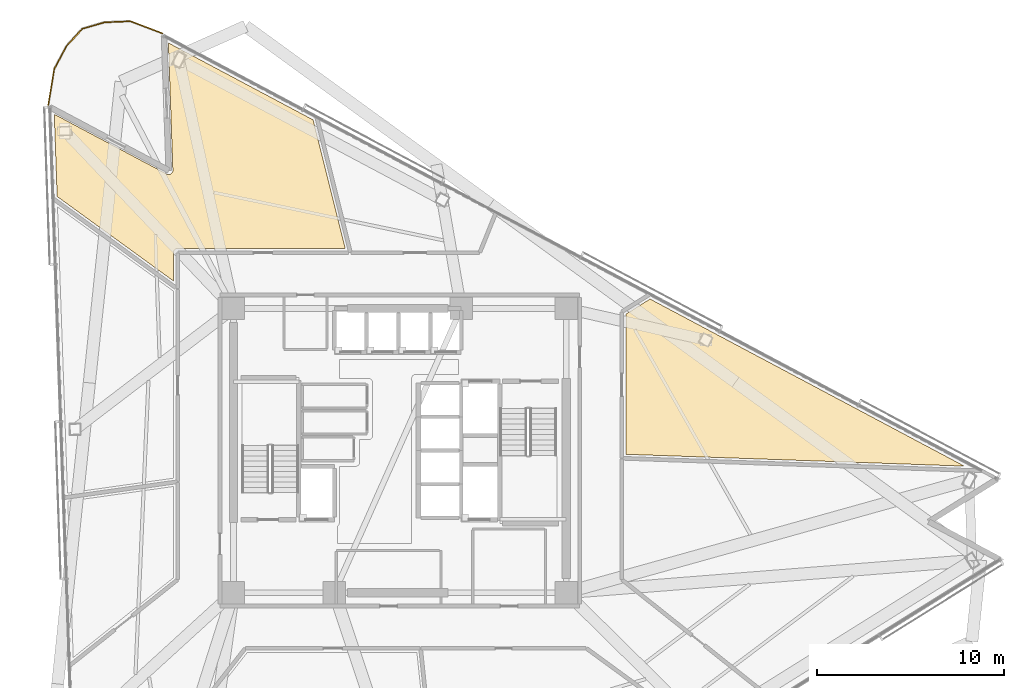
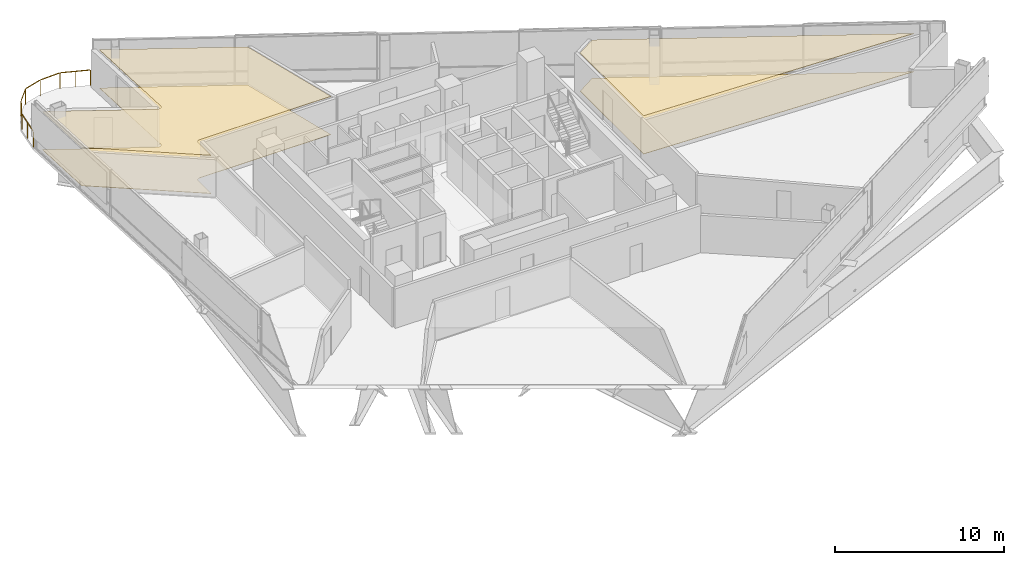
# One storey, part 20 of 20: 4 coverings, 1 railing.
"""IFC4 building model written with IfcOpenShell, lengths in metres."""

from ifc_helpers import new_model, si_unit, direction, frame, origin, origin_2d, place, context, subcontext, project, spatial, polyline, rectangle, outline, extrude, material, layer, layer_set, type_object, element, save


model = new_model("IFC4")

# Units and contexts
model_context = context("Model", 3, precision=1e-05, world=origin(), true_north=direction((0.0, 1.0)))
body_context = subcontext(model_context, "Body", "Model", "MODEL_VIEW")
ifc_project = project(units=[si_unit("LENGTHUNIT", "METRE"), si_unit("AREAUNIT", "SQUARE_METRE"), si_unit("VOLUMEUNIT", "CUBIC_METRE"), si_unit("PLANEANGLEUNIT", "RADIAN"), si_unit("MASSUNIT", "GRAM", prefix="KILO")], contexts=[model_context])

# Site, building, storey
site_placement = place(None, origin())
site = spatial("IfcSite", under=ifc_project, at=site_placement, CompositionType="ELEMENT")
building_placement = place(site_placement, origin())
building = spatial("IfcBuilding", under=site, at=building_placement, Name="Tharavind Bronze Gate", CompositionType="ELEMENT")
storey_placement = place(building_placement, frame((0.0, 0.0, 138.800048828125)))
storey = spatial("IfcBuildingStorey", under=building, at=storey_placement, Name="L35", CompositionType="ELEMENT", Elevation=138.800048828125)

# Coverings
ifc_material_1 = material(Name="Perforated Bronze Acoustic Panel", Category="bronze")
ifc_layer_1 = layer(ifc_material_1, 0.044921875)
ifc_layer_set_1 = layer_set([ifc_layer_1], Name="Perforated Bronze Acoustic Panel")
covering_type_1 = type_object("IfcCoveringType", Name="ACOUSTIC BRONZE BAFFLE CEILING", PredefinedType="CEILING", material=ifc_layer_set_1)
covering_1_placement = place(storey_placement, frame((0.0, 0.0, 2.75)))
element("IfcCovering", 1, at=covering_1_placement, inside=storey, type_object=covering_type_1, Name="L35-RM-08 suspended ceiling", PredefinedType="CEILING", context=body_context, shape_type="SweptSolid", body=[
    extrude(outline(polyline([(30.201416015625, -0.83447265625), (13.38720703125, 8.105712890625), (12.10009765625, 7.301513671875), (12.10009765625, -0.202392578125), (30.201416015625, -0.83447265625)])), origin(), (0.0, 0.0, 1.0), 0.034912109375),
])
ifc_material_2 = material(Name="Engineered Oak & Carpet Tile", Category="wood")
ifc_layer_2 = layer(ifc_material_2, 0.02490234375)
ifc_layer_set_2 = layer_set([ifc_layer_2], Name="Engineered Oak & Carpet Tile")
covering_type_2 = type_object("IfcCoveringType", Name="ENGINEERED TIMBER FLOORING", PredefinedType="FLOORING", material=ifc_layer_set_2)
covering_2_placement = place(storey_placement, origin())
element("IfcCovering", 2, at=covering_2_placement, inside=storey, type_object=covering_type_2, Name="L35-RM-02 floor finish", PredefinedType="FLOORING", context=body_context, shape_type="SweptSolid", body=[
    extrude(outline(polyline([(-18.3330078125, 13.591552734375), (-12.10009765625, 9.06298828125), (-12.10009765625, 10.579345703125), (-12.099609375, 10.590087890625), (-12.099609375, 10.5908203125), (-12.09765625, 10.6123046875), (-12.093505859375, 10.63330078125), (-12.087158203125, 10.654052734375), (-12.078857421875, 10.674072265625), (-12.068603515625, 10.693115234375), (-12.056640625, 10.7109375), (-12.04296875, 10.727783203125), (-12.027587890625, 10.742919921875), (-12.010986328125, 10.756591796875), (-11.9931640625, 10.768798828125), (-11.97412109375, 10.77880859375), (-11.9541015625, 10.787109375), (-11.933349609375, 10.79345703125), (-11.912353515625, 10.797607421875), (-11.890869140625, 10.7998046875), (-11.89013671875, 10.7998046875), (-11.87939453125, 10.800048828125), (-2.91943359375, 10.800048828125), (-4.63720703125, 17.689453125), (-12.380615234375, 21.806884765625), (-12.142822265625, 14.99267578125), (-12.142578125, 14.981689453125), (-12.142578125, 14.981201171875), (-12.14404296875, 14.959228515625), (-12.147705078125, 14.9375), (-12.1533203125, 14.91650390625), (-12.1611328125, 14.89599609375), (-12.1708984375, 14.876220703125), (-12.1826171875, 14.857666015625), (-12.1962890625, 14.84033203125), (-12.21142578125, 14.82470703125), (-12.22802734375, 14.810302734375), (-12.24609375, 14.7978515625), (-12.26513671875, 14.787109375), (-12.285400390625, 14.7783203125), (-12.30615234375, 14.771728515625), (-12.32763671875, 14.76708984375), (-12.349609375, 14.7646484375), (-12.371337890625, 14.764404296875), (-12.393310546875, 14.7666015625), (-12.414794921875, 14.7705078125), (-12.435791015625, 14.77685546875), (-12.4560546875, 14.78515625), (-12.45654296875, 14.785400390625), (-12.46630859375, 14.790283203125), (-18.486572265625, 17.991455078125), (-18.3330078125, 13.591552734375)])), origin(), (0.0, 0.0, 1.0), 0.02490234375),
])
covering_3_placement = place(storey_placement, origin())
element("IfcCovering", 3, at=covering_3_placement, inside=storey, type_object=covering_type_2, Name="L35-RM-08 floor finish", PredefinedType="FLOORING", context=body_context, shape_type="SweptSolid", body=[
    extrude(outline(polyline([(30.201416015625, -0.83447265625), (13.38720703125, 8.105712890625), (12.10009765625, 7.301513671875), (12.10009765625, -0.202392578125), (30.201416015625, -0.83447265625)])), origin(), (0.0, 0.0, 1.0), 0.02490234375),
])
ifc_material_3 = material(Name="Acoustic Gypsum Board", Category="gypsum")
ifc_layer_3 = layer(ifc_material_3, 0.030029296875)
ifc_layer_set_3 = layer_set([ifc_layer_3], Name="Acoustic Gypsum Board")
covering_type_3 = type_object("IfcCoveringType", Name="GYPSUM SUSPENDED CEILING", PredefinedType="CEILING", material=ifc_layer_set_3)
covering_4_placement = place(storey_placement, frame((0.0, 0.0, 2.75)))
element("IfcCovering", 4, at=covering_4_placement, inside=storey, type_object=covering_type_3, Name="L35-RM-02 suspended ceiling", PredefinedType="CEILING", context=body_context, shape_type="SweptSolid", body=[
    extrude(outline(polyline([(-18.3330078125, 13.591552734375), (-12.10009765625, 9.06298828125), (-12.10009765625, 10.579345703125), (-12.099609375, 10.590087890625), (-12.099609375, 10.5908203125), (-12.09765625, 10.6123046875), (-12.093505859375, 10.63330078125), (-12.087158203125, 10.654052734375), (-12.078857421875, 10.674072265625), (-12.068603515625, 10.693115234375), (-12.056640625, 10.7109375), (-12.04296875, 10.727783203125), (-12.027587890625, 10.742919921875), (-12.010986328125, 10.756591796875), (-11.9931640625, 10.768798828125), (-11.97412109375, 10.77880859375), (-11.9541015625, 10.787109375), (-11.933349609375, 10.79345703125), (-11.912353515625, 10.797607421875), (-11.890869140625, 10.7998046875), (-11.89013671875, 10.7998046875), (-11.87939453125, 10.800048828125), (-2.91943359375, 10.800048828125), (-4.63720703125, 17.689453125), (-12.380615234375, 21.806884765625), (-12.142822265625, 14.99267578125), (-12.142578125, 14.981689453125), (-12.142578125, 14.981201171875), (-12.14404296875, 14.959228515625), (-12.147705078125, 14.9375), (-12.1533203125, 14.91650390625), (-12.1611328125, 14.89599609375), (-12.1708984375, 14.876220703125), (-12.1826171875, 14.857666015625), (-12.1962890625, 14.84033203125), (-12.21142578125, 14.82470703125), (-12.22802734375, 14.810302734375), (-12.24609375, 14.7978515625), (-12.26513671875, 14.787109375), (-12.285400390625, 14.7783203125), (-12.30615234375, 14.771728515625), (-12.32763671875, 14.76708984375), (-12.349609375, 14.7646484375), (-12.371337890625, 14.764404296875), (-12.393310546875, 14.7666015625), (-12.414794921875, 14.7705078125), (-12.435791015625, 14.77685546875), (-12.4560546875, 14.78515625), (-12.45654296875, 14.785400390625), (-12.46630859375, 14.790283203125), (-18.486572265625, 17.991455078125), (-18.3330078125, 13.591552734375)])), origin(), (0.0, 0.0, 1.0), 0.034912109375),
])

# Railing
ifc_material_4 = material(Name="Bronze Cap & Laminated Glass", Category="glass")
railing_type = type_object("IfcRailingType", Name="TERRACE GLASS GUARD RAILING 1150", PredefinedType="GUARDRAIL", material=ifc_material_4)
railing_placement = place(storey_placement, frame((-18.8046875, 18.500244140625, 0.0)))
element("IfcRailing", 5, at=railing_placement, inside=storey, type_object=railing_type, Name="L35 tree balcony guard railing", PredefinedType="GUARDRAIL", context=body_context, shape_type="SweptSolid", body=[
    extrude(rectangle(XDim=0.048095703125, YDim=0.048095703125, at=origin_2d()), frame((0.00537109375, 0.031494140625, 1.1259765625), z_axis=(0.164195729353, 0.986427778635, 0.0), x_axis=(-0.986427778635, 0.164195729353, 0.0)), (0.0, 0.0, 1.0), 1.8837890625),
    extrude(rectangle(XDim=0.048095703125, YDim=0.048095703125, at=origin_2d()), frame((0.3349609375, 1.949462890625, 1.1259765625), z_axis=(0.475354278584, 0.879794470221, 0.0), x_axis=(-0.879794470221, 0.475354278584, 0.0)), (0.0, 0.0, 1.0), 1.316650390625),
    extrude(rectangle(XDim=0.048095703125, YDim=0.048095703125, at=origin_2d()), frame((0.99755859375, 3.15966796875, 1.1259765625), z_axis=(0.672721531805, 0.739895763365, 0.0), x_axis=(-0.739895763365, 0.672721531805, 0.0)), (0.0, 0.0, 1.0), 1.1826171875),
    extrude(rectangle(XDim=0.048095703125, YDim=0.048095703125, at=origin_2d()), frame((1.845458984375, 4.0673828125, 1.1259765625), z_axis=(0.959866084935, 0.280458729571, 0.0), x_axis=(-0.280458729571, 0.959866084935, 0.0)), (0.0, 0.0, 1.0), 1.1826171875),
    extrude(rectangle(XDim=0.048095703125, YDim=0.048095703125, at=origin_2d()), frame((3.043212890625, 4.4091796875, 1.1259765625), z_axis=(0.999143462148, 0.041380454892, 0.0), x_axis=(-0.041380454892, 0.999143462148, 0.0)), (0.0, 0.0, 1.0), 1.316650390625),
    extrude(rectangle(XDim=0.048095703125, YDim=0.048095703125, at=origin_2d()), frame((4.420654296875, 4.453857421875, 1.1259765625), z_axis=(0.935175477512, -0.354184734651, 0.0), x_axis=(0.354184734651, 0.935175477512, 0.0)), (0.0, 0.0, 1.0), 1.770263671875),
    extrude(rectangle(XDim=0.0400390625, YDim=0.0400390625, at=origin_2d()), origin(), (0.0, 0.0, 1.0), 1.097900390625),
    extrude(rectangle(XDim=0.0400390625, YDim=0.0400390625, at=origin_2d()), frame((0.159912109375, 0.960693359375, 0.0)), (0.0, 0.0, 1.0), 1.097900390625),
    extrude(rectangle(XDim=0.0400390625, YDim=0.0400390625, at=origin_2d()), frame((0.31982421875, 1.92138671875, 0.0)), (0.0, 0.0, 1.0), 1.097900390625),
    extrude(rectangle(XDim=0.0400390625, YDim=0.0400390625, at=origin_2d()), frame((0.97607421875, 3.135986328125, 0.0)), (0.0, 0.0, 1.0), 1.097900390625),
    extrude(rectangle(XDim=0.0400390625, YDim=0.0400390625, at=origin_2d()), frame((1.814697265625, 4.058349609375, 0.0)), (0.0, 0.0, 1.0), 1.097900390625),
    extrude(rectangle(XDim=0.0400390625, YDim=0.0400390625, at=origin_2d()), frame((3.01123046875, 4.407958984375, 0.0)), (0.0, 0.0, 1.0), 1.097900390625),
    extrude(rectangle(XDim=0.0400390625, YDim=0.0400390625, at=origin_2d()), frame((4.390625, 4.465087890625, 0.0)), (0.0, 0.0, 1.0), 1.097900390625),
    extrude(rectangle(XDim=0.0400390625, YDim=0.0400390625, at=origin_2d()), frame((5.248291015625, 4.14013671875, 0.0)), (0.0, 0.0, 1.0), 1.097900390625),
    extrude(rectangle(XDim=0.0400390625, YDim=0.0400390625, at=origin_2d()), frame((6.10595703125, 3.8154296875, 0.0)), (0.0, 0.0, 1.0), 1.097900390625),
])

save(model, "model.ifc")
